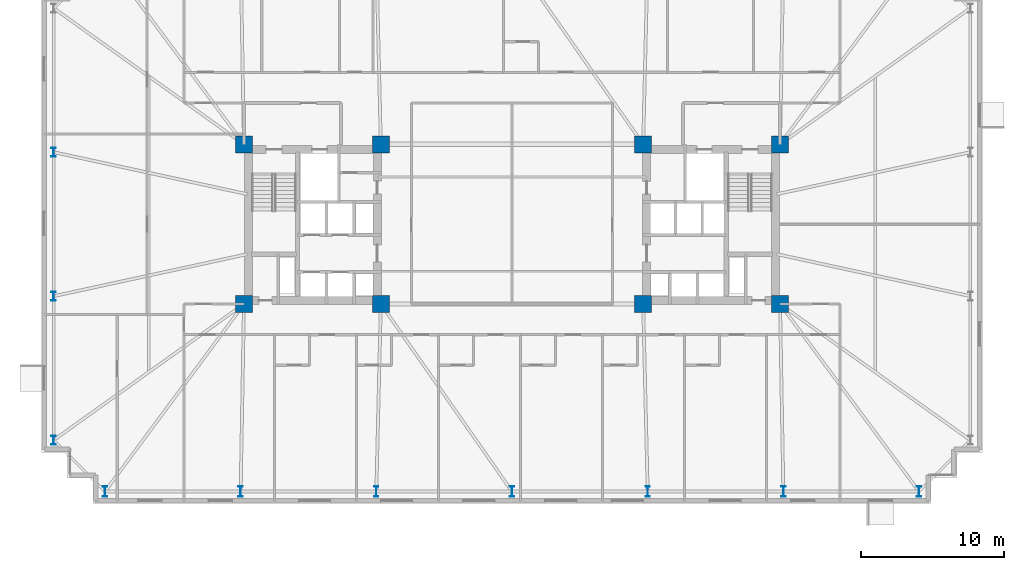
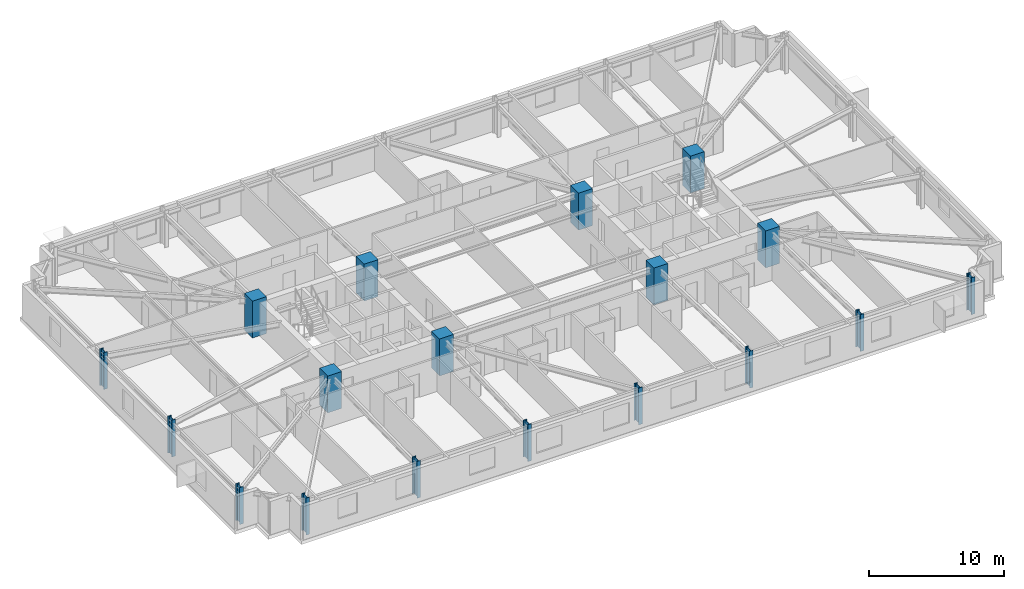
# One storey, part 1 of 20: 18 columns.
"""IFC4 building model written with IfcOpenShell, lengths in metres."""

from ifc_helpers import new_model, si_unit, direction, frame, origin, origin_2d, place, context, subcontext, project, spatial, rectangle, i_section, extrude, material, material_profile, profile_set, type_object, element, save


model = new_model("IFC4")

# Units and contexts
model_context = context("Model", 3, precision=1e-05, world=origin(), true_north=direction((0.0, 1.0)))
body_context = subcontext(model_context, "Body", "Model", "MODEL_VIEW")
ifc_project = project(units=[si_unit("LENGTHUNIT", "METRE"), si_unit("AREAUNIT", "SQUARE_METRE"), si_unit("VOLUMEUNIT", "CUBIC_METRE"), si_unit("PLANEANGLEUNIT", "RADIAN"), si_unit("MASSUNIT", "GRAM", prefix="KILO")], contexts=[model_context])

# Site, building, storey
site_placement = place(None, origin())
site = spatial("IfcSite", under=ifc_project, at=site_placement, CompositionType="ELEMENT")
building_placement = place(site_placement, origin())
building = spatial("IfcBuilding", under=site, at=building_placement, Name="Qobustan Lattice House", CompositionType="ELEMENT")
storey_placement = place(building_placement, frame((0.0, 0.0, 63.85009765625)))
storey = spatial("IfcBuildingStorey", under=building, at=storey_placement, Name="L17", CompositionType="ELEMENT", Elevation=63.85009765625)

# Columns
ifc_material_1 = material(Name="Concrete C60/75", Category="concrete")
ifc_material_profile_1 = material_profile(ifc_material_1, rectangle(XDim=1.199951171875, YDim=1.199951171875, at=origin_2d()), Name="RC1200x1200")
ifc_profile_set_1 = profile_set([ifc_material_profile_1], Name="Concrete C60/75")
column_type_1 = type_object("IfcColumnType", Name="COL-RC-1200", PredefinedType="COLUMN", material=ifc_profile_set_1)
for number, where, z_axis, x_axis, name in (
    (1, (-18.800048828125, -5.60009765625, 0.0), (0.0, 0.0, 1.0), (1.0, 0.0, 0.0), "L17 core mega-column CW-SW"),
    (2, (-18.800048828125, 5.60009765625, 0.0), (0.0, 0.0, 1.0), (1.0, 0.0, 0.0), "L17 core mega-column CW-NW"),
    (3, (-9.199951171875, -5.60009765625, 0.0), (0.0, 0.0, 1.0), (1.0, 0.0, 0.0), "L17 core mega-column CW-SE"),
    (4, (-9.199951171875, 5.60009765625, 0.0), (0.0, 0.0, 1.0), (1.0, 0.0, 0.0), "L17 core mega-column CW-NE"),
    (5, (9.199951171875, -5.60009765625, 0.0), (0.0, 0.0, 1.0), (1.0, 0.0, 0.0), "L17 core mega-column CE-SW"),
    (6, (9.199951171875, 5.60009765625, 0.0), (0.0, 0.0, 1.0), (1.0, 0.0, 0.0), "L17 core mega-column CE-NW"),
    (7, (18.800048828125, -5.60009765625, 0.0), (0.0, 0.0, 1.0), (1.0, 0.0, 0.0), "L17 core mega-column CE-SE"),
    (8, (18.800048828125, 5.60009765625, 0.0), (0.0, 0.0, 1.0), (1.0, 0.0, 0.0), "L17 core mega-column CE-NE"),
):
    element("IfcColumn", number, at=place(storey_placement, frame(where, z_axis=z_axis, x_axis=x_axis)), inside=storey, type_object=column_type_1, Name=name, PredefinedType="COLUMN", context=body_context, shape_type="SweptSolid", body=[
        extrude(rectangle(XDim=1.199951171875, YDim=1.199951171875, at=origin_2d()), origin(), (0.0, 0.0, 1.0), 3.349853515625),
    ])
ifc_material_2 = material(Name="Steel S460", Category="steel")
ifc_material_profile_2 = material_profile(ifc_material_2, i_section(OverallWidth=0.304931640625, OverallDepth=0.6201171875, WebThickness=0.02099609375, FlangeThickness=0.0400390625, FilletRadius=0.027099609375, at=origin_2d()), Name="HEM600")
ifc_profile_set_2 = profile_set([ifc_material_profile_2], Name="Steel S460")
column_type_2 = type_object("IfcColumnType", Name="COL-ST-HEM600", PredefinedType="COLUMN", material=ifc_profile_set_2)
for number, where, z_axis, x_axis, name in (
    (9, (-32.14990234375, 5.050048828125, 0.0), (0.0, 0.0, 1.0), (1.0, 0.0, 0.0), "L17 B1 perimeter column W2"),
    (10, (-32.14990234375, -5.050048828125, 0.0), (0.0, 0.0, 1.0), (1.0, 0.0, 0.0), "L17 B1 perimeter column W3"),
    (11, (-32.14990234375, -15.14990234375, 0.0), (0.0, 0.0, 1.0), (1.0, 0.0, 0.0), "L17 B1 perimeter column W4"),
):
    element("IfcColumn", number, at=place(storey_placement, frame(where, z_axis=z_axis, x_axis=x_axis)), inside=storey, type_object=column_type_2, Name=name, PredefinedType="COLUMN", context=body_context, shape_type="SweptSolid", body=[
        extrude(i_section(OverallWidth=0.304931640625, OverallDepth=0.6201171875, WebThickness=0.02099609375, FlangeThickness=0.0400390625, FilletRadius=0.027099609375, at=origin_2d()), origin(), (0.0, 0.0, 1.0), 3.349853515625),
    ])
ifc_material_3 = material(Name="Steel S460", Category="steel")
ifc_material_profile_3 = material_profile(ifc_material_3, i_section(OverallWidth=0.303955078125, OverallDepth=0.716064453125, WebThickness=0.02099609375, FlangeThickness=0.0400390625, FilletRadius=0.027099609375, at=origin_2d()), Name="HEM700")
ifc_profile_set_3 = profile_set([ifc_material_profile_3], Name="Steel S460")
column_type_3 = type_object("IfcColumnType", Name="COL-ST-HEM700", PredefinedType="COLUMN", material=ifc_profile_set_3)
for number, where, z_axis, x_axis, name in (
    (12, (-28.550048828125, -18.75, 0.0), (0.0, 0.0, 1.0), (1.0, 0.0, 0.0), "L17 B1 perimeter column S1"),
    (13, (-19.033203125, -18.75, 0.0), (0.0, 0.0, 1.0), (1.0, 0.0, 0.0), "L17 B1 perimeter column S2"),
    (14, (-9.5166015625, -18.75, 0.0), (0.0, 0.0, 1.0), (1.0, 0.0, 0.0), "L17 B1 perimeter column S3"),
    (15, (0.0, -18.75, 0.0), (0.0, 0.0, 1.0), (1.0, 0.0, 0.0), "L17 B1 perimeter column S4"),
    (16, (9.5166015625, -18.75, 0.0), (0.0, 0.0, 1.0), (1.0, 0.0, 0.0), "L17 B1 perimeter column S5"),
    (17, (19.033203125, -18.75, 0.0), (0.0, 0.0, 1.0), (1.0, 0.0, 0.0), "L17 B1 perimeter column S6"),
    (18, (28.550048828125, -18.75, 0.0), (0.0, 0.0, 1.0), (1.0, 0.0, 0.0), "L17 B1 perimeter column S7"),
):
    element("IfcColumn", number, at=place(storey_placement, frame(where, z_axis=z_axis, x_axis=x_axis)), inside=storey, type_object=column_type_3, Name=name, PredefinedType="COLUMN", context=body_context, shape_type="SweptSolid", body=[
        extrude(i_section(OverallWidth=0.303955078125, OverallDepth=0.716064453125, WebThickness=0.02099609375, FlangeThickness=0.0400390625, FilletRadius=0.027099609375, at=origin_2d()), origin(), (0.0, 0.0, 1.0), 3.349853515625),
    ])

save(model, "model.ifc")
